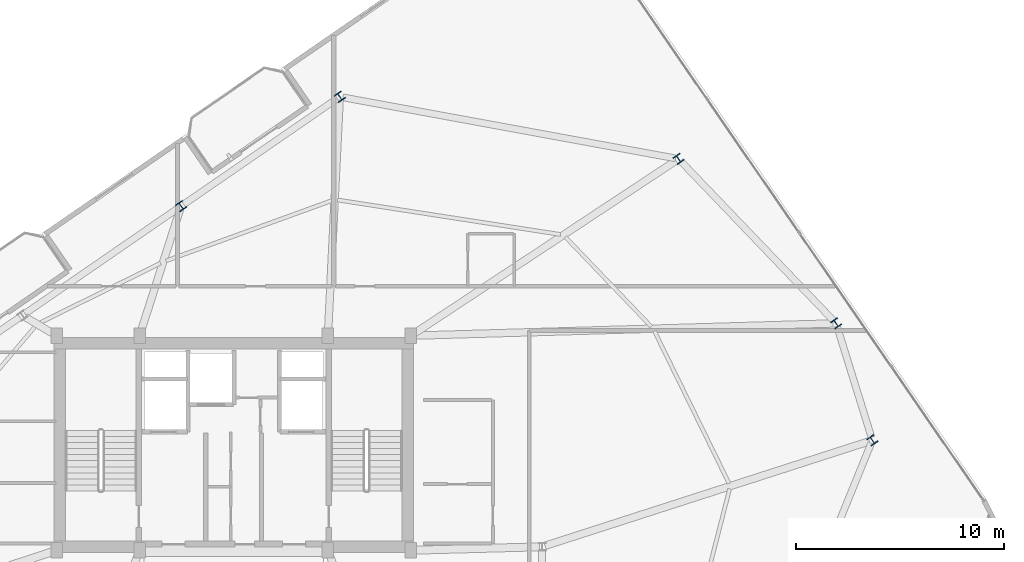
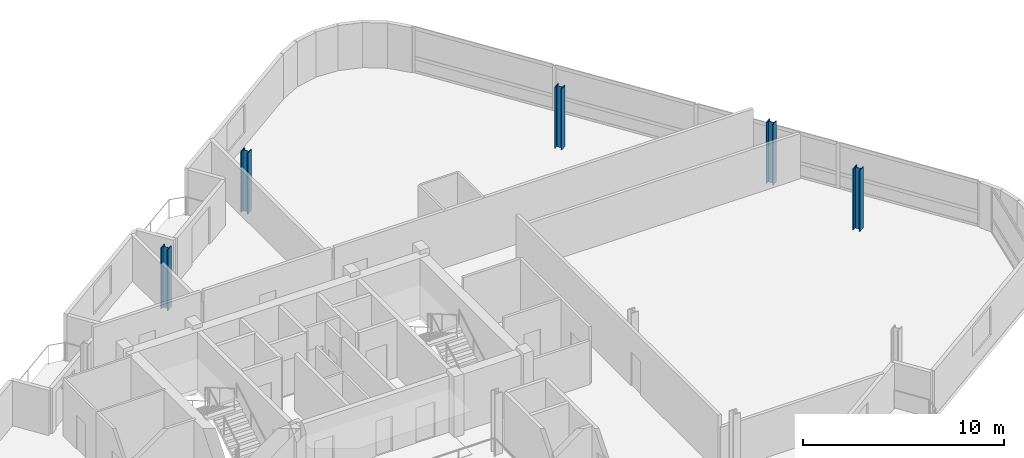
# One storey, part 2 of 23: 5 columns.
"""IFC4 building model written with IfcOpenShell, lengths in metres."""

from ifc_helpers import new_model, si_unit, direction, frame, origin, origin_2d, place, context, subcontext, project, spatial, i_section, extrude, material, material_profile, profile_set, type_object, element, save


model = new_model("IFC4")

# Units and contexts
model_context = context("Model", 3, precision=1e-05, world=origin(), true_north=direction((0.0, 1.0)))
body_context = subcontext(model_context, "Body", "Model", "MODEL_VIEW")
ifc_project = project(units=[si_unit("LENGTHUNIT", "METRE"), si_unit("AREAUNIT", "SQUARE_METRE"), si_unit("VOLUMEUNIT", "CUBIC_METRE"), si_unit("PLANEANGLEUNIT", "RADIAN"), si_unit("MASSUNIT", "GRAM", prefix="KILO")], contexts=[model_context])

# Site, building, storey
site_placement = place(None, origin())
site = spatial("IfcSite", under=ifc_project, at=site_placement, CompositionType="ELEMENT")
building_placement = place(site_placement, origin())
building = spatial("IfcBuilding", under=site, at=building_placement, Name="Varnelok Gate Tower", CompositionType="ELEMENT")
storey_placement = place(building_placement, frame((0.0, 0.0, 258.199951171875)))
storey = spatial("IfcBuildingStorey", under=building, at=storey_placement, Name="L66", CompositionType="ELEMENT", Elevation=258.199951171875)

# Columns
ifc_material = material(Name="Structural Steel ASTM A992 Grade 50", Category="steel")
ifc_material_profile = material_profile(ifc_material, i_section(OverallWidth=0.40087890625, OverallDepth=0.39892578125, WebThickness=0.02490234375, FlangeThickness=0.03955078125, FilletRadius=0.02197265625, at=origin_2d()), Name="W14X211")
ifc_profile_set = profile_set([ifc_material_profile], Name="Structural Steel ASTM A992 Grade 50")
column_type = type_object("IfcColumnType", Name="COL-W14X211", PredefinedType="COLUMN", material=ifc_profile_set)
for number, where, z_axis, x_axis, name in (
    (1, (69.856689453125, 34.031494140625, 0.0), (0.0, 0.0, 1.0), (0.823532597628, 0.567268949127, 0.0), "L66 B6 Perimeter Column PC06"),
    (2, (68.115478515625, 39.644287109375, 0.0), (0.0, 0.0, 1.0), (0.823532597628, 0.567268949127, 0.0), "L66 B6 Perimeter Column PC07"),
    (3, (60.5537109375, 47.537353515625, 0.0), (0.0, 0.0, 1.0), (0.823532597628, 0.567268949127, 0.0), "L66 B6 Perimeter Column PC08"),
    (4, (44.29248046875, 50.519287109375, 0.0), (0.0, 0.0, 1.0), (0.823532597628, 0.567268949127, 0.0), "L66 B6 Perimeter Column PC09"),
    (5, (36.6748046875, 45.27197265625, 0.0), (0.0, 0.0, 1.0), (0.823532597628, 0.567268949127, 0.0), "L66 B6 Perimeter Column PC10"),
):
    element("IfcColumn", number, at=place(storey_placement, frame(where, z_axis=z_axis, x_axis=x_axis)), inside=storey, type_object=column_type, Name=name, PredefinedType="COLUMN", context=body_context, shape_type="SweptSolid", body=[
        extrude(i_section(OverallWidth=0.40087890625, OverallDepth=0.39892578125, WebThickness=0.02490234375, FlangeThickness=0.03955078125, FilletRadius=0.02197265625, at=origin_2d()), origin(), (0.0, 0.0, 1.0), 3.699951171875),
    ])

save(model, "model.ifc")
